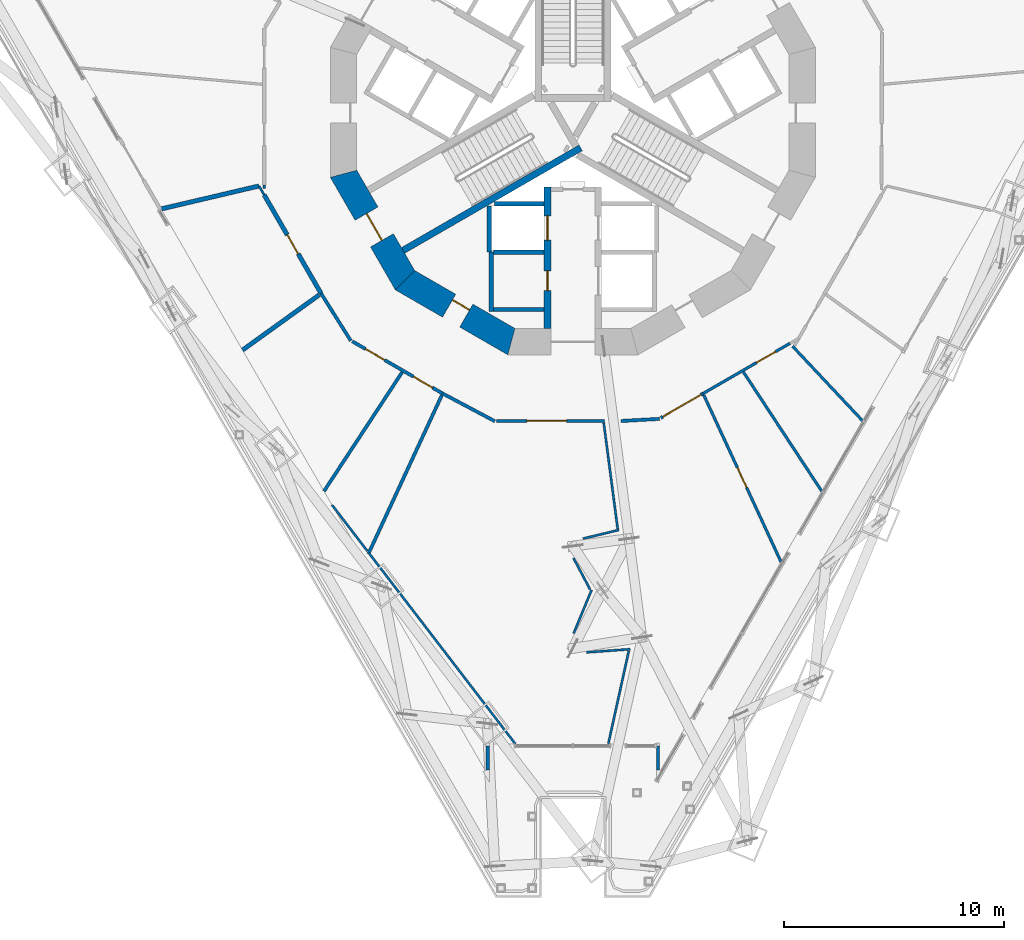
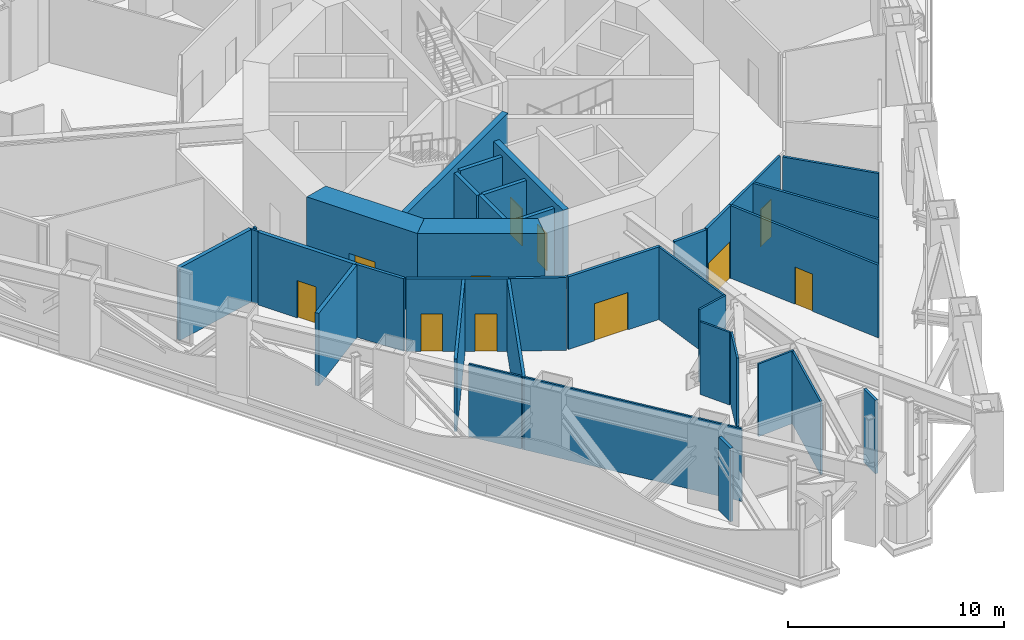
# One storey, part 13 of 28: 36 walls, 11 doors, 11 openings.
"""IFC4 building model written with IfcOpenShell, lengths in metres."""

from ifc_helpers import new_model, si_unit, direction, frame, frame_2d, origin, place, context, subcontext, project, spatial, polyline, rectangle, outline, extrude, material, layer, layer_set, type_object, element, fill, save


model = new_model("IFC4")

# Units and contexts
model_context = context("Model", 3, precision=1e-05, world=origin(), true_north=direction((0.0, 1.0)))
body_context = subcontext(model_context, "Body", "Model", "MODEL_VIEW")
ifc_project = project(units=[si_unit("LENGTHUNIT", "METRE"), si_unit("AREAUNIT", "SQUARE_METRE"), si_unit("VOLUMEUNIT", "CUBIC_METRE"), si_unit("PLANEANGLEUNIT", "RADIAN"), si_unit("MASSUNIT", "GRAM", prefix="KILO")], contexts=[model_context])

# Site, building, storey
site_placement = place(None, origin())
site = spatial("IfcSite", under=ifc_project, at=site_placement, CompositionType="ELEMENT")
building_placement = place(site_placement, origin())
building = spatial("IfcBuilding", under=site, at=building_placement, Name="Trine Commons Tower", CompositionType="ELEMENT")
storey_placement = place(building_placement, frame((0.0, 0.0, 45.89990234375)))
storey = spatial("IfcBuildingStorey", under=building, at=storey_placement, Name="L10", CompositionType="ELEMENT", Elevation=45.89990234375)

# Walls
ifc_material_1 = material(Name="Plasterboard on steel stud", Category="steel")
ifc_layer_1 = layer(ifc_material_1, 0.14990234375)
ifc_layer_set_1 = layer_set([ifc_layer_1], Name="Plasterboard on steel stud")
wall_type_1 = type_object("IfcWallType", Name="Compartment wall 150 mm, EI 60", PredefinedType="PARTITIONING", material=ifc_layer_set_1)
wall_1_placement = place(storey_placement, frame((68.5703125, 54.2734375, 0.0), z_axis=(0.0, 0.0, 1.0), x_axis=(0.532143934564, -0.846653903852, 0.0)))
element("IfcWall", 1, at=wall_1_placement, inside=storey, type_object=wall_type_1, Name="Partition A10021", PredefinedType="PARTITIONING", context=body_context, shape_type="SweptSolid", body=[
    extrude(rectangle(XDim=2.53515625, YDim=0.14990234375, at=frame_2d((1.267578125, 0.0))), origin(), (0.0, 0.0, 1.0), 4.10009765625),
])
wall_2_placement = place(storey_placement, frame((68.7021484375, 45.299072265625, 0.0), z_axis=(0.0, 0.0, 1.0), x_axis=(0.548987984637, 0.835830241571, 0.0)))
element("IfcWall", 2, at=wall_2_placement, inside=storey, type_object=wall_type_1, Name="Partition A10022", PredefinedType="PARTITIONING", context=body_context, shape_type="SweptSolid", body=[
    extrude(rectangle(XDim=6.465087890625, YDim=0.14990234375, at=frame_2d((3.232421875, 0.0))), origin(), (0.0, 0.0, 1.0), 4.10009765625),
])

# Wall, openings, doors
wall_3_placement = place(storey_placement, frame((74.088623046875, 49.733642578125, 0.0), z_axis=(0.0, 0.0, 1.0), x_axis=(-0.866014827195, 0.500018318742, 0.0)))
wall_3 = element("IfcWall", 3, at=wall_3_placement, inside=storey, type_object=wall_type_1, Name="Partition A10024", PredefinedType="PARTITIONING", context=body_context, shape_type="SweptSolid", body=[
    extrude(rectangle(XDim=4.738037109375, YDim=0.14990234375, at=frame_2d((2.369140625, 0.0))), origin(), (0.0, 0.0, 1.0), 4.10009765625),
])
opening_1_placement = place(wall_3_placement, frame((3.04443359375, 0.0, 0.0)))
opening_1 = element("IfcOpeningElement", 4, at=opening_1_placement, cuts=wall_3, Name="Opening D-A1004", PredefinedType="OPENING", context=body_context, shape_type="SweptSolid", body=[
    extrude(rectangle(XDim=1.0, YDim=2.10009765625, at=frame_2d((0.5, 1.050048828125))), frame((0.0, 0.0849609375, 0.0), z_axis=(0.0, -1.0, 0.0), x_axis=(1.0, 0.0, 0.0)), (0.0, 0.0, 1.0), 0.169921875),
])
opening_2_placement = place(wall_3_placement, frame((0.53564453125, 0.0, 0.0)))
opening_2 = element("IfcOpeningElement", 5, at=opening_2_placement, cuts=wall_3, Name="Opening D-A1005", PredefinedType="OPENING", context=body_context, shape_type="SweptSolid", body=[
    extrude(rectangle(XDim=1.0, YDim=2.10009765625, at=frame_2d((0.5, 1.050048828125))), frame((0.0, 0.0849609375, 0.0), z_axis=(0.0, -1.0, 0.0), x_axis=(1.0, 0.0, 0.0)), (0.0, 0.0, 1.0), 0.169921875),
])
ifc_material_2 = material(Name="Timber fire door set", Category="wood")
door_type_1 = type_object("IfcDoorType", Name="Single swing door 1000x2100, FD30S", OperationType="SINGLE_SWING_LEFT", PredefinedType="DOOR", material=ifc_material_2)
door_1_placement = place(opening_1_placement, origin())
door_1 = element("IfcDoor", 6, at=door_1_placement, inside=storey, type_object=door_type_1, Name="Door D-A1004", OperationType="SINGLE_SWING_LEFT", OverallHeight=2.10009765625, OverallWidth=1.0, PredefinedType="DOOR", context=body_context, shape_type="SweptSolid", body=[
    extrude(rectangle(XDim=1.0, YDim=2.10009765625, at=frame_2d((0.5, 1.050048828125))), frame((0.0, 0.02490234375, 0.0), z_axis=(0.0, -1.0, 0.0), x_axis=(1.0, 0.0, 0.0)), (0.0, 0.0, 1.0), 0.050048828125),
])
fill(opening_1, door_1)
door_2_placement = place(opening_2_placement, origin())
door_2 = element("IfcDoor", 7, at=door_2_placement, inside=storey, type_object=door_type_1, Name="Door D-A1005", OperationType="SINGLE_SWING_LEFT", OverallHeight=2.10009765625, OverallWidth=1.0, PredefinedType="DOOR", context=body_context, shape_type="SweptSolid", body=[
    extrude(rectangle(XDim=1.0, YDim=2.10009765625, at=frame_2d((0.5, 1.050048828125))), frame((0.0, 0.02490234375, 0.0), z_axis=(0.0, -1.0, 0.0), x_axis=(1.0, 0.0, 0.0)), (0.0, 0.0, 1.0), 0.050048828125),
])
fill(opening_2, door_2)

# Walls
wall_4_placement = place(storey_placement, frame((70.7158203125, 42.450439453125, 0.0), z_axis=(0.0, 0.0, 1.0), x_axis=(0.42019011547, 0.907436095194, 0.0)))
element("IfcWall", 8, at=wall_4_placement, inside=storey, type_object=wall_type_1, Name="Partition A10026", PredefinedType="PARTITIONING", context=body_context, shape_type="SweptSolid", body=[
    extrude(rectangle(XDim=7.9443359375, YDim=0.14990234375, at=frame_2d((3.97216796875, 0.0))), origin(), (0.0, 0.0, 1.0), 4.10009765625),
])
wall_5_placement = place(storey_placement, frame((74.0927734375, 49.731689453125, 0.0), z_axis=(0.0, 0.0, 1.0), x_axis=(0.88317476462, -0.469044065242, 0.0)))
element("IfcWall", 9, at=wall_5_placement, inside=storey, type_object=wall_type_1, Name="Partition A10028", PredefinedType="PARTITIONING", context=body_context, shape_type="SweptSolid", body=[
    extrude(rectangle(XDim=2.676513671875, YDim=0.14990234375, at=frame_2d((1.33837890625, 0.0))), origin(), (0.0, 0.0, 1.0), 4.10009765625),
])

# Wall, opening, door
wall_6_placement = place(storey_placement, frame((76.525634765625, 48.488525390625, 0.0), z_axis=(0.0, 0.0, 1.0), x_axis=(1.0, 0.0, 0.0)))
wall_6 = element("IfcWall", 10, at=wall_6_placement, inside=storey, type_object=wall_type_1, Name="Partition A10032", PredefinedType="PARTITIONING", context=body_context, shape_type="SweptSolid", body=[
    extrude(rectangle(XDim=4.915283203125, YDim=0.14990234375, at=frame_2d((2.45751953125, 0.0))), origin(), (0.0, 0.0, 1.0), 4.10009765625),
])
opening_3_placement = place(wall_6_placement, frame((1.392822265625, 0.0, 0.0)))
opening_3 = element("IfcOpeningElement", 11, at=opening_3_placement, cuts=wall_6, Name="Opening D-A1008", PredefinedType="OPENING", context=body_context, shape_type="SweptSolid", body=[
    extrude(rectangle(XDim=1.800048828125, YDim=2.10009765625, at=frame_2d((0.89990234375, 1.050048828125))), frame((0.0, 0.0849609375, 0.0), z_axis=(0.0, -1.0, 0.0), x_axis=(1.0, 0.0, 0.0)), (0.0, 0.0, 1.0), 0.169921875),
])
door_type_2 = type_object("IfcDoorType", Name="Double swing door 1800x2100, FD30S", OperationType="DOUBLE_DOOR_DOUBLE_SWING", PredefinedType="DOOR", material=ifc_material_2)
door_3_placement = place(opening_3_placement, origin())
door_3 = element("IfcDoor", 12, at=door_3_placement, inside=storey, type_object=door_type_2, Name="Door D-A1008", OperationType="DOUBLE_DOOR_DOUBLE_SWING", OverallHeight=2.10009765625, OverallWidth=1.800048828125, PredefinedType="DOOR", context=body_context, shape_type="SweptSolid", body=[
    extrude(rectangle(XDim=1.800048828125, YDim=2.10009765625, at=frame_2d((0.89990234375, 1.050048828125))), frame((0.0, 0.02490234375, 0.0), z_axis=(0.0, -1.0, 0.0), x_axis=(1.0, 0.0, 0.0)), (0.0, 0.0, 1.0), 0.050048828125),
])
fill(opening_3, door_3)

# Wall
wall_7_placement = place(storey_placement, frame((82.1904296875, 48.485107421875, 0.0), z_axis=(0.0, 0.0, 1.0), x_axis=(0.998428091569, 0.056047711506, 0.0)))
element("IfcWall", 13, at=wall_7_placement, inside=storey, type_object=wall_type_1, Name="Partition A10042", PredefinedType="PARTITIONING", context=body_context, shape_type="SweptSolid", body=[
    extrude(rectangle(XDim=1.75537109375, YDim=0.14990234375, at=frame_2d((0.877685546875, 0.0))), origin(), (0.0, 0.0, 1.0), 4.10009765625),
])

# Wall, opening, door
wall_8_placement = place(storey_placement, frame((83.996826171875, 48.62841796875, 0.0), z_axis=(0.0, 0.0, 1.0), x_axis=(0.866012759228, 0.500021900375, 0.0)))
wall_8 = element("IfcWall", 14, at=wall_8_placement, inside=storey, type_object=wall_type_1, Name="Partition A10043", PredefinedType="PARTITIONING", context=body_context, shape_type="SweptSolid", body=[
    extrude(rectangle(XDim=2.21142578125, YDim=0.14990234375, at=frame_2d((1.105712890625, 0.0))), origin(), (0.0, 0.0, 1.0), 4.10009765625),
])
opening_4_placement = place(wall_8_placement, frame((0.10009765625, 0.0, 0.0)))
opening_4 = element("IfcOpeningElement", 15, at=opening_4_placement, cuts=wall_8, Name="Opening D-A1012", PredefinedType="OPENING", context=body_context, shape_type="SweptSolid", body=[
    extrude(rectangle(XDim=2.0, YDim=2.10009765625, at=frame_2d((1.0, 1.050048828125))), frame((0.0, 0.0849609375, 0.0), z_axis=(0.0, -1.0, 0.0), x_axis=(1.0, 0.0, 0.0)), (0.0, 0.0, 1.0), 0.169921875),
])
door_type_3 = type_object("IfcDoorType", Name="Double swing door 2000x2100, FD30S", OperationType="DOUBLE_DOOR_DOUBLE_SWING", PredefinedType="DOOR", material=ifc_material_2)
door_4_placement = place(opening_4_placement, origin())
door_4 = element("IfcDoor", 16, at=door_4_placement, inside=storey, type_object=door_type_3, Name="Door D-A1012", OperationType="DOUBLE_DOOR_DOUBLE_SWING", OverallHeight=2.10009765625, OverallWidth=2.0, PredefinedType="DOOR", context=body_context, shape_type="SweptSolid", body=[
    extrude(rectangle(XDim=2.0, YDim=2.10009765625, at=frame_2d((1.0, 1.050048828125))), frame((0.0, 0.02490234375, 0.0), z_axis=(0.0, -1.0, 0.0), x_axis=(1.0, 0.0, 0.0)), (0.0, 0.0, 1.0), 0.050048828125),
])
fill(opening_4, door_4)

# Walls
ifc_layer_2 = layer(ifc_material_1, 0.199951171875)
ifc_layer_set_2 = layer_set([ifc_layer_2], Name="Plasterboard on steel stud")
wall_type_2 = type_object("IfcWallType", Name="Fire wall 200 mm, EI 120", PredefinedType="PARTITIONING", material=ifc_layer_set_2)
wall_9_placement = place(storey_placement, frame((61.304443359375, 58.112548828125, 0.0), z_axis=(0.0, 0.0, 1.0), x_axis=(0.973549478392, 0.22847628569, 0.0)))
element("IfcWall", 17, at=wall_9_placement, inside=storey, type_object=wall_type_2, Name="Partition A10009", PredefinedType="PARTITIONING", context=body_context, shape_type="SweptSolid", body=[
    extrude(rectangle(XDim=4.568115234375, YDim=0.199951171875, at=frame_2d((2.2841796875, 0.0))), origin(), (0.0, 0.0, 1.0), 4.10009765625),
])
wall_10_placement = place(storey_placement, frame((65.00341796875, 51.705810546875, 0.0), z_axis=(0.0, 0.0, 1.0), x_axis=(0.811614314739, 0.584193635801, 0.0)))
element("IfcWall", 18, at=wall_10_placement, inside=storey, type_object=wall_type_2, Name="Partition A10012", PredefinedType="PARTITIONING", context=body_context, shape_type="SweptSolid", body=[
    extrude(rectangle(XDim=4.284423828125, YDim=0.199951171875, at=frame_2d((2.14208984375, 0.0))), origin(), (0.0, 0.0, 1.0), 4.10009765625),
])

# Wall, opening, door
wall_11_placement = place(storey_placement, frame((68.570556640625, 54.273193359375, 0.0), z_axis=(0.0, 0.0, 1.0), x_axis=(-0.499982995661, 0.866035221021, 0.0)))
wall_11 = element("IfcWall", 19, at=wall_11_placement, inside=storey, type_object=wall_type_2, Name="Partition A10014", PredefinedType="PARTITIONING", context=body_context, shape_type="SweptSolid", body=[
    extrude(rectangle(XDim=5.164306640625, YDim=0.199951171875, at=frame_2d((2.58203125, 0.0))), origin(), (0.0, 0.0, 1.0), 4.10009765625),
])
opening_5_placement = place(wall_11_placement, frame((2.08203125, 0.0, 0.0)))
opening_5 = element("IfcOpeningElement", 20, at=opening_5_placement, cuts=wall_11, Name="Opening D-A1001", PredefinedType="OPENING", context=body_context, shape_type="SweptSolid", body=[
    extrude(rectangle(XDim=1.0, YDim=2.10009765625, at=frame_2d((0.5, 1.050048828125))), frame((0.0, 0.10986328125, 0.0), z_axis=(0.0, -1.0, 0.0), x_axis=(1.0, 0.0, 0.0)), (0.0, 0.0, 1.0), 0.219970703125),
])
door_5_placement = place(opening_5_placement, origin())
door_5 = element("IfcDoor", 21, at=door_5_placement, inside=storey, type_object=door_type_1, Name="Door D-A1001", OperationType="SINGLE_SWING_LEFT", OverallHeight=2.10009765625, OverallWidth=1.0, PredefinedType="DOOR", context=body_context, shape_type="SweptSolid", body=[
    extrude(rectangle(XDim=1.0, YDim=2.10009765625, at=frame_2d((0.5, 1.050048828125))), frame((0.0, 0.02490234375, 0.0), z_axis=(0.0, -1.0, 0.0), x_axis=(1.0, 0.0, 0.0)), (0.0, 0.0, 1.0), 0.050048828125),
])
fill(opening_5, door_5)

# Walls
ifc_material_3 = material(Name="Aluminium-framed insulated wall panel", Category="aluminium")
ifc_layer_3 = layer(ifc_material_3, 0.14990234375)
ifc_layer_set_3 = layer_set([ifc_layer_3], Name="Aluminium-framed insulated wall panel")
wall_type_3 = type_object("IfcWallType", Name="Glazed frame wall 150, EI 60", PredefinedType="SOLIDWALL", material=ifc_layer_set_3)
wall_12_placement = place(storey_placement, frame((83.864990234375, 32.48583984375, 0.0), z_axis=(0.0, 0.0, 1.0), x_axis=(0.0, 1.0, 0.0)))
element("IfcWall", 22, at=wall_12_placement, inside=storey, type_object=wall_type_3, Name="Glazed frame wall L10 R9", PredefinedType="SOLIDWALL", context=body_context, shape_type="SweptSolid", body=[
    extrude(outline(polyline([(0.1494140625, 0.074951171875), (0.1494140625, -0.074951171875), (1.235107421875, -0.074951171875), (1.235107421875, 0.074951171875), (0.1494140625, 0.074951171875)])), origin(), (0.0, 0.0, 1.0), 4.150146484375),
])
wall_13_placement = place(storey_placement, frame((76.135009765625, 33.830810546875, 0.0), z_axis=(0.0, 0.0, 1.0), x_axis=(0.0, -1.0, 0.0)))
element("IfcWall", 23, at=wall_13_placement, inside=storey, type_object=wall_type_3, Name="Glazed frame wall L10 R11", PredefinedType="SOLIDWALL", context=body_context, shape_type="SweptSolid", body=[
    extrude(outline(polyline([(0.110107421875, 0.074951171875), (0.110107421875, -0.074951171875), (1.19580078125, -0.074951171875), (1.19580078125, 0.074951171875), (0.110107421875, 0.074951171875)])), origin(), (0.0, 0.0, 1.0), 4.150146484375),
])
ifc_layer_4 = layer(ifc_material_1, 0.10009765625)
ifc_layer_set_4 = layer_set([ifc_layer_4], Name="Plasterboard on steel stud")
wall_type_4 = type_object("IfcWallType", Name="Partition wall 100 mm stud, not rated", PredefinedType="PARTITIONING", material=ifc_layer_set_4)
wall_14_placement = place(storey_placement, frame((65.75244140625, 59.154296875, 0.0), z_axis=(0.0, 0.0, 1.0), x_axis=(0.499842898591, -0.866116087328, 0.0)))
element("IfcWall", 24, at=wall_14_placement, inside=storey, type_object=wall_type_4, Name="Partition A10013", PredefinedType="PARTITIONING", context=body_context, shape_type="SweptSolid", body=[
    extrude(rectangle(XDim=0.468017578125, YDim=0.10009765625, at=frame_2d((0.23388671875, 0.0))), origin(), (0.0, 0.0, 1.0), 4.10009765625),
])
wall_15_placement = place(storey_placement, frame((65.988525390625, 59.0361328125, 0.0), z_axis=(0.0, 0.0, 1.0), x_axis=(0.0, 1.0, 0.0)))
element("IfcWall", 25, at=wall_15_placement, inside=storey, type_object=wall_type_4, Name="Partition A10015", PredefinedType="PARTITIONING", context=body_context, shape_type="SweptSolid", body=[
    extrude(rectangle(XDim=0.173583984375, YDim=0.10009765625, at=frame_2d((0.0869140625, 0.0))), origin(), (0.0, 0.0, 1.0), 4.10009765625),
])
wall_16_placement = place(storey_placement, frame((69.0654296875, 44.674072265625, 0.0), z_axis=(0.0, 0.0, 1.0), x_axis=(0.608733271844, -0.79337494525, 0.0)))
element("IfcWall", 26, at=wall_16_placement, inside=storey, type_object=wall_type_4, Name="Partition A10023", PredefinedType="PARTITIONING", context=body_context, shape_type="SweptSolid", body=[
    extrude(rectangle(XDim=2.632568359375, YDim=0.10009765625, at=frame_2d((1.31640625, 0.0))), origin(), (0.0, 0.0, 1.0), 4.10009765625),
])
wall_17_placement = place(storey_placement, frame((70.738037109375, 42.494140625, 0.0), z_axis=(0.0, 0.0, 1.0), x_axis=(0.608769035805, -0.793347503333, 0.0)))
element("IfcWall", 27, at=wall_17_placement, inside=storey, type_object=wall_type_4, Name="Partition A10027", PredefinedType="PARTITIONING", context=body_context, shape_type="SweptSolid", body=[
    extrude(rectangle(XDim=10.91748046875, YDim=0.10009765625, at=frame_2d((5.458740234375, 0.0))), origin(), (0.0, 0.0, 1.0), 4.10009765625),
])
wall_18_placement = place(storey_placement, frame((80.03466796875, 38.838623046875, 0.0), z_axis=(0.0, 0.0, 1.0), x_axis=(0.381938265475, 0.924187838789, 0.0)))
element("IfcWall", 28, at=wall_18_placement, inside=storey, type_object=wall_type_4, Name="Partition A10035", PredefinedType="PARTITIONING", context=body_context, shape_type="SweptSolid", body=[
    extrude(rectangle(XDim=2.13818359375, YDim=0.10009765625, at=frame_2d((1.069091796875, 0.0))), origin(), (0.0, 0.0, 1.0), 4.10009765625),
])
wall_19_placement = place(storey_placement, frame((80.026611328125, 42.269287109375, 0.0), z_axis=(0.0, 0.0, 1.0), x_axis=(0.466866941026, -0.884327574701, 0.0)))
element("IfcWall", 29, at=wall_19_placement, inside=storey, type_object=wall_type_4, Name="Partition A10036", PredefinedType="PARTITIONING", context=body_context, shape_type="SweptSolid", body=[
    extrude(rectangle(XDim=1.615966796875, YDim=0.10009765625, at=frame_2d((0.80810546875, 0.0))), origin(), (0.0, 0.0, 1.0), 4.10009765625),
])
wall_20_placement = place(storey_placement, frame((80.4560546875, 43.14453125, 0.0), z_axis=(0.0, 0.0, 1.0), x_axis=(0.97236096836, 0.233482648629, 0.0)))
element("IfcWall", 30, at=wall_20_placement, inside=storey, type_object=wall_type_4, Name="Partition A10037", PredefinedType="PARTITIONING", context=body_context, shape_type="SweptSolid", body=[
    extrude(rectangle(XDim=1.68359375, YDim=0.10009765625, at=frame_2d((0.841796875, 0.0))), origin(), (0.0, 0.0, 1.0), 4.10009765625),
])
wall_21_placement = place(storey_placement, frame((80.614501953125, 37.980224609375, 0.0), z_axis=(0.0, 0.0, 1.0), x_axis=(0.997339365818, 0.072898486881, 0.0)))
element("IfcWall", 31, at=wall_21_placement, inside=storey, type_object=wall_type_4, Name="Partition A10038", PredefinedType="PARTITIONING", context=body_context, shape_type="SweptSolid", body=[
    extrude(rectangle(XDim=1.99609375, YDim=0.10009765625, at=frame_2d((0.998046875, 0.0))), origin(), (0.0, 0.0, 1.0), 4.10009765625),
])
wall_22_placement = place(storey_placement, frame((81.40185546875, 48.405029296875, 0.0), z_axis=(0.0, 0.0, 1.0), x_axis=(0.130497341363, -0.991448659234, 0.0)))
element("IfcWall", 32, at=wall_22_placement, inside=storey, type_object=wall_type_4, Name="Partition A10039", PredefinedType="PARTITIONING", context=body_context, shape_type="SweptSolid", body=[
    extrude(rectangle(XDim=4.865966796875, YDim=0.10009765625, at=frame_2d((2.43310546875, 0.0))), origin(), (0.0, 0.0, 1.0), 4.10009765625),
])
wall_23_placement = place(storey_placement, frame((81.611328125, 33.832763671875, 0.0), z_axis=(0.0, 0.0, 1.0), x_axis=(0.215264429132, 0.976555797459, 0.0)))
element("IfcWall", 33, at=wall_23_placement, inside=storey, type_object=wall_type_4, Name="Partition A10041", PredefinedType="PARTITIONING", context=body_context, shape_type="SweptSolid", body=[
    extrude(rectangle(XDim=4.314208984375, YDim=0.10009765625, at=frame_2d((2.1572265625, 0.0))), origin(), (0.0, 0.0, 1.0), 4.10009765625),
])

# Wall, opening, door
ifc_material_4 = material(Name="Concrete C80/95", Category="concrete")
ifc_layer_5 = layer(ifc_material_4, 1.199951171875)
ifc_layer_set_5 = layer_set([ifc_layer_5], Name="Concrete C80/95")
wall_type_5 = type_object("IfcWallType", Name="RC shear wall 1200 mm, C80/95", PredefinedType="SHEAR", material=ifc_layer_set_5)
wall_24_placement = place(storey_placement, frame((69.508056640625, 59.849609375, 0.0), z_axis=(0.0, 0.0, 1.0), x_axis=(0.499979111662, -0.866037463336, 0.0)))
wall_24 = element("IfcWall", 34, at=wall_24_placement, inside=storey, type_object=wall_type_5, Name="Core wall CWB-08 L10", PredefinedType="SHEAR", context=body_context, shape_type="SweptSolid", body=[
    extrude(outline(polyline([(0.0, -0.60009765625), (5.901123046875, -0.60009765625), (5.57958984375, 0.60009765625), (0.321533203125, 0.60009765625), (0.0, -0.60009765625)])), origin(), (0.0, 0.0, 1.0), 4.5),
])
opening_6_placement = place(wall_24_placement, frame((2.25048828125, 0.0, 0.0)))
opening_6 = element("IfcOpeningElement", 35, at=opening_6_placement, cuts=wall_24, Name="Opening K05.02", PredefinedType="OPENING", context=body_context, shape_type="SweptSolid", body=[
    extrude(rectangle(XDim=1.39990234375, YDim=2.10009765625, at=frame_2d((0.699951171875, 1.050048828125))), frame((0.0, 0.60986328125, 0.0), z_axis=(0.0, -1.0, 0.0), x_axis=(1.0, 0.0, 0.0)), (0.0, 0.0, 1.0), 1.219970703125),
])
ifc_material_5 = material(Name="Steel door leaves, fire-rated", Category="steel")
door_type_4 = type_object("IfcDoorType", Name="Stair door, double leaf 1400 x 2100, FD90", OperationType="DOUBLE_DOOR_SINGLE_SWING", PredefinedType="DOOR", material=ifc_material_5)
door_6_placement = place(opening_6_placement, origin())
door_6 = element("IfcDoor", 36, at=door_6_placement, inside=storey, type_object=door_type_4, Name="Stair door to Exit stair ST2A L10", OperationType="DOUBLE_DOOR_SINGLE_SWING", OverallHeight=2.10009765625, OverallWidth=1.39990234375, PredefinedType="DOOR", context=body_context, shape_type="SweptSolid", body=[
    extrude(rectangle(XDim=1.39990234375, YDim=2.10009765625, at=frame_2d((0.699951171875, 1.050048828125))), frame((0.0, 0.02490234375, 0.0), z_axis=(0.0, -1.0, 0.0), x_axis=(1.0, 0.0, 0.0)), (0.0, 0.0, 1.0), 0.050048828125),
])
fill(opening_6, door_6)

wall_25_placement = place(storey_placement, frame((72.239013671875, 54.95849609375, 0.0), z_axis=(0.0, 0.0, 1.0), x_axis=(0.866037463336, -0.499979111662, 0.0)))
wall_25 = element("IfcWall", 37, at=wall_25_placement, inside=storey, type_object=wall_type_5, Name="Core wall CWB-09 L10", PredefinedType="SHEAR", context=body_context, shape_type="SweptSolid", body=[
    extrude(outline(polyline([(0.0, -0.60009765625), (5.901123046875, -0.60009765625), (5.57958984375, 0.60009765625), (0.321533203125, 0.60009765625), (0.0, -0.60009765625)])), origin(), (0.0, 0.0, 1.0), 4.5),
])
opening_7_placement = place(wall_25_placement, frame((2.4765625, 0.0, 0.0)))
opening_7 = element("IfcOpeningElement", 38, at=opening_7_placement, cuts=wall_25, Name="Opening K05.14", PredefinedType="OPENING", context=body_context, shape_type="SweptSolid", body=[
    extrude(rectangle(XDim=0.89990234375, YDim=2.10009765625, at=frame_2d((0.449951171875, 1.050048828125))), frame((0.0, 0.60986328125, 0.0), z_axis=(0.0, -1.0, 0.0), x_axis=(1.0, 0.0, 0.0)), (0.0, 0.0, 1.0), 1.219970703125),
])
ifc_material_6 = material(Name="Steel door leaf, fire-rated", Category="steel")
door_type_5 = type_object("IfcDoorType", Name="Core room door, single leaf 900 x 2100, FD30S", OperationType="SINGLE_SWING_LEFT", PredefinedType="DOOR", material=ifc_material_6)
door_7_placement = place(opening_7_placement, origin())
door_7 = element("IfcDoor", 39, at=door_7_placement, inside=storey, type_object=door_type_5, Name="Door to Parcel store L10", OperationType="SINGLE_SWING_LEFT", OverallHeight=2.10009765625, OverallWidth=0.89990234375, PredefinedType="DOOR", context=body_context, shape_type="SweptSolid", body=[
    extrude(rectangle(XDim=0.89990234375, YDim=2.10009765625, at=frame_2d((0.449951171875, 1.050048828125))), frame((0.0, 0.3251953125, 0.0), z_axis=(0.0, -1.0, 0.0), x_axis=(1.0, 0.0, 0.0)), (0.0, 0.0, 1.0), 0.050048828125),
])
fill(opening_7, door_7)

# Wall, openings, doors
ifc_layer_6 = layer(ifc_material_4, 0.300048828125)
ifc_layer_set_6 = layer_set([ifc_layer_6], Name="Concrete C80/95")
wall_type_6 = type_object("IfcWallType", Name="RC shear wall 300 mm, C80/95", PredefinedType="SHEAR", material=ifc_layer_set_6)
wall_26_placement = place(storey_placement, frame((78.85009765625, 59.10009765625, 0.0), z_axis=(0.0, 0.0, 1.0), x_axis=(0.0, -1.0, 0.0)))
wall_26 = element("IfcWall", 40, at=wall_26_placement, inside=storey, type_object=wall_type_6, Name="Core cross wall SWA-03 L10", PredefinedType="SHEAR", context=body_context, shape_type="SweptSolid", body=[
    extrude(rectangle(XDim=6.412109375, YDim=0.300048828125, at=frame_2d((3.2060546875, 0.0))), origin(), (0.0, 0.0, 1.0), 4.5),
])
opening_8_placement = place(wall_26_placement, frame((3.800048828125, 0.0, 0.0)))
opening_8 = element("IfcOpeningElement", 41, at=opening_8_placement, cuts=wall_26, Name="Opening K05.10", PredefinedType="OPENING", context=body_context, shape_type="SweptSolid", body=[
    extrude(rectangle(XDim=0.89990234375, YDim=2.10009765625, at=frame_2d((0.449951171875, 1.050048828125))), frame((0.0, 0.159912109375, 0.0), z_axis=(0.0, -1.0, 0.0), x_axis=(1.0, 0.0, 0.0)), (0.0, 0.0, 1.0), 0.320068359375),
])
opening_9_placement = place(wall_26_placement, frame((1.300048828125, 0.0, 0.0)))
opening_9 = element("IfcOpeningElement", 42, at=opening_9_placement, cuts=wall_26, Name="Opening LD10", PredefinedType="OPENING", context=body_context, shape_type="SweptSolid", body=[
    extrude(rectangle(XDim=1.10009765625, YDim=2.10009765625, at=frame_2d((0.550048828125, 1.050048828125))), frame((0.0, 0.159912109375, 0.0), z_axis=(0.0, -1.0, 0.0), x_axis=(1.0, 0.0, 0.0)), (0.0, 0.0, 1.0), 0.320068359375),
])
door_8_placement = place(opening_8_placement, frame((0.89990234375, 0.0, 0.0), z_axis=(0.0, 0.0, 1.0), x_axis=(-1.0, 0.0, 0.0)))
door_8 = element("IfcDoor", 43, at=door_8_placement, inside=storey, type_object=door_type_5, Name="Door to Pantry L10", OperationType="SINGLE_SWING_RIGHT", OverallHeight=2.10009765625, OverallWidth=0.89990234375, PredefinedType="DOOR", context=body_context, shape_type="SweptSolid", body=[
    extrude(rectangle(XDim=0.89990234375, YDim=2.10009765625, at=frame_2d((0.449951171875, 1.050048828125))), frame((0.0, 0.02490234375, 0.0), z_axis=(0.0, -1.0, 0.0), x_axis=(1.0, 0.0, 0.0)), (0.0, 0.0, 1.0), 0.050048828125),
])
fill(opening_8, door_8)
ifc_material_7 = material(Name="Stainless steel sliding door leaves", Category="steel")
door_type_6 = type_object("IfcDoorType", Name="Lift landing door, centre-opening sliding 1100 x 2100, FD90", OperationType="DOUBLE_DOOR_SLIDING", PredefinedType="DOOR", material=ifc_material_7)
door_9_placement = place(opening_9_placement, origin())
door_9 = element("IfcDoor", 44, at=door_9_placement, inside=storey, type_object=door_type_6, Name="Lift landing door FF2 L10", OperationType="DOUBLE_DOOR_SLIDING", OverallHeight=2.10009765625, OverallWidth=1.10009765625, PredefinedType="DOOR", context=body_context, shape_type="SweptSolid", body=[
    extrude(rectangle(XDim=1.10009765625, YDim=2.10009765625, at=frame_2d((0.550048828125, 1.050048828125))), frame((0.0, 0.02490234375, 0.0), z_axis=(0.0, -1.0, 0.0), x_axis=(1.0, 0.0, 0.0)), (0.0, 0.0, 1.0), 0.050048828125),
])
fill(opening_9, door_9)

# Walls
wall_27_placement = place(storey_placement, frame((80.35400390625, 60.885986328125, 0.0), z_axis=(0.0, 0.0, 1.0), x_axis=(-0.865986456211, -0.50006745311, 0.0)))
element("IfcWall", 45, at=wall_27_placement, inside=storey, type_object=wall_type_6, Name="Core cross wall SWA-14 L10", PredefinedType="SHEAR", context=body_context, shape_type="SweptSolid", body=[
    extrude(rectangle(XDim=9.310791015625, YDim=0.300048828125, at=frame_2d((4.6552734375, 0.0))), origin(), (0.0, 0.0, 1.0), 4.5),
])
ifc_material_8 = material(Name="Fire-rated gypsum shaft wall system")
ifc_layer_7 = layer(ifc_material_8, 0.199951171875)
ifc_layer_set_7 = layer_set([ifc_layer_7], Name="Fire-rated gypsum shaft wall system")
wall_type_7 = type_object("IfcWallType", Name="Shaft wall 200 mm, EI 120", PredefinedType="PARTITIONING", material=ifc_layer_set_7)
wall_28_placement = place(storey_placement, frame((76.199951171875, 58.256103515625, 0.0), z_axis=(0.0, 0.0, 1.0), x_axis=(0.0, -1.0, 0.0)))
element("IfcWall", 46, at=wall_28_placement, inside=storey, type_object=wall_type_7, Name="Shaft wall L10", PredefinedType="PARTITIONING", context=body_context, shape_type="SweptSolid", body=[
    extrude(rectangle(XDim=2.106201171875, YDim=0.199951171875, at=frame_2d((1.05322265625, 0.0))), origin(), (0.0, 0.0, 1.0), 4.150146484375),
])
wall_29_placement = place(storey_placement, frame((76.300048828125, 56.14990234375, 0.0), z_axis=(0.0, 0.0, 1.0), x_axis=(0.0, -1.0, 0.0)))
element("IfcWall", 47, at=wall_29_placement, inside=storey, type_object=wall_type_7, Name="Shaft wall L10", PredefinedType="PARTITIONING", context=body_context, shape_type="SweptSolid", body=[
    extrude(rectangle(XDim=2.699951171875, YDim=0.199951171875, at=frame_2d((1.35009765625, 0.0))), origin(), (0.0, 0.0, 1.0), 4.150146484375),
])
for number, where, z_axis, x_axis, name in (
    (48, (78.699951171875, 53.550048828125, 0.0), (0.0, 0.0, 1.0), (-1.0, 0.0, 0.0), "Shaft wall L10"),
    (49, (78.699951171875, 56.14990234375, 0.0), (0.0, 0.0, 1.0), (-1.0, 0.0, 0.0), "Shaft wall L10"),
):
    element("IfcWall", number, at=place(storey_placement, frame(where, z_axis=z_axis, x_axis=x_axis)), inside=storey, type_object=wall_type_7, Name=name, PredefinedType="PARTITIONING", context=body_context, shape_type="SweptSolid", body=[
        extrude(rectangle(XDim=2.300048828125, YDim=0.199951171875, at=frame_2d((1.14990234375, 0.0))), origin(), (0.0, 0.0, 1.0), 4.150146484375),
    ])
wall_30_placement = place(storey_placement, frame((78.699951171875, 58.35009765625, 0.0), z_axis=(0.0, 0.0, 1.0), x_axis=(-1.0, 0.0, 0.0)))
element("IfcWall", 50, at=wall_30_placement, inside=storey, type_object=wall_type_7, Name="Shaft wall L10", PredefinedType="PARTITIONING", context=body_context, shape_type="SweptSolid", body=[
    extrude(rectangle(XDim=2.264892578125, YDim=0.199951171875, at=frame_2d((1.13232421875, 0.0))), origin(), (0.0, 0.0, 1.0), 4.150146484375),
])

# Wall, opening, door
ifc_layer_8 = layer(ifc_material_1, 0.125)
ifc_layer_set_8 = layer_set([ifc_layer_8], Name="Plasterboard on steel stud")
wall_type_8 = type_object("IfcWallType", Name="Wet wall 125 mm stud, not rated", PredefinedType="PARTITIONING", material=ifc_layer_set_8)
wall_31_placement = place(storey_placement, frame((89.853759765625, 52.009765625, 0.0), z_axis=(0.0, 0.0, 1.0), x_axis=(-0.866036430452, -0.499980900766, 0.0)))
wall_31 = element("IfcWall", 51, at=wall_31_placement, inside=storey, type_object=wall_type_8, Name="Partition A10045", PredefinedType="PARTITIONING", context=body_context, shape_type="SweptSolid", body=[
    extrude(rectangle(XDim=4.552001953125, YDim=0.125, at=frame_2d((2.27587890625, 0.0))), origin(), (0.0, 0.0, 1.0), 4.10009765625),
])
opening_10_placement = place(wall_31_placement, frame((0.740478515625, 0.0, 0.0)))
opening_10 = element("IfcOpeningElement", 52, at=opening_10_placement, cuts=wall_31, Name="Opening D-A1013", PredefinedType="OPENING", context=body_context, shape_type="SweptSolid", body=[
    extrude(rectangle(XDim=1.0, YDim=2.10009765625, at=frame_2d((0.5, 1.050048828125))), frame((0.0, 0.072509765625, 0.0), z_axis=(0.0, -1.0, 0.0), x_axis=(1.0, 0.0, 0.0)), (0.0, 0.0, 1.0), 0.14501953125),
])
ifc_material_9 = material(Name="Painted timber", Category="wood")
door_type_7 = type_object("IfcDoorType", Name="Single swing door 1000x2100, not rated", OperationType="SINGLE_SWING_LEFT", PredefinedType="DOOR", material=ifc_material_9)
door_10_placement = place(opening_10_placement, origin())
door_10 = element("IfcDoor", 53, at=door_10_placement, inside=storey, type_object=door_type_7, Name="Door D-A1013", OperationType="SINGLE_SWING_LEFT", OverallHeight=2.10009765625, OverallWidth=1.0, PredefinedType="DOOR", context=body_context, shape_type="SweptSolid", body=[
    extrude(rectangle(XDim=1.0, YDim=2.10009765625, at=frame_2d((0.5, 1.050048828125))), frame((0.0, 0.02490234375, 0.0), z_axis=(0.0, -1.0, 0.0), x_axis=(1.0, 0.0, 0.0)), (0.0, 0.0, 1.0), 0.050048828125),
])
fill(opening_10, door_10)

wall_32_placement = place(storey_placement, frame((89.448486328125, 42.09619140625, 0.0), z_axis=(0.0, 0.0, 1.0), x_axis=(-0.420185202025, 0.907438370359, 0.0)))
wall_32 = element("IfcWall", 54, at=wall_32_placement, inside=storey, type_object=wall_type_8, Name="Partition A10046", PredefinedType="PARTITIONING", context=body_context, shape_type="SweptSolid", body=[
    extrude(rectangle(XDim=8.3359375, YDim=0.125, at=frame_2d((4.16796875, 0.0))), origin(), (0.0, 0.0, 1.0), 4.10009765625),
])
opening_11_placement = place(wall_32_placement, frame((3.70849609375, 0.0, 0.0)))
opening_11 = element("IfcOpeningElement", 55, at=opening_11_placement, cuts=wall_32, Name="Opening D-A1014", PredefinedType="OPENING", context=body_context, shape_type="SweptSolid", body=[
    extrude(rectangle(XDim=1.0, YDim=2.10009765625, at=frame_2d((0.5, 1.050048828125))), frame((0.0, 0.072509765625, 0.0), z_axis=(0.0, -1.0, 0.0), x_axis=(1.0, 0.0, 0.0)), (0.0, 0.0, 1.0), 0.14501953125),
])
door_11_placement = place(opening_11_placement, origin())
door_11 = element("IfcDoor", 56, at=door_11_placement, inside=storey, type_object=door_type_7, Name="Door D-A1014", OperationType="SINGLE_SWING_LEFT", OverallHeight=2.10009765625, OverallWidth=1.0, PredefinedType="DOOR", context=body_context, shape_type="SweptSolid", body=[
    extrude(rectangle(XDim=1.0, YDim=2.10009765625, at=frame_2d((0.5, 1.050048828125))), frame((0.0, 0.02490234375, 0.0), z_axis=(0.0, -1.0, 0.0), x_axis=(1.0, 0.0, 0.0)), (0.0, 0.0, 1.0), 0.050048828125),
])
fill(opening_11, door_11)

# Walls
wall_33_placement = place(storey_placement, frame((87.741455078125, 50.714111328125, 0.0), z_axis=(0.0, 0.0, 1.0), x_axis=(0.549016946095, -0.835811218458, 0.0)))
element("IfcWall", 57, at=wall_33_placement, inside=storey, type_object=wall_type_8, Name="Partition A10047", PredefinedType="PARTITIONING", context=body_context, shape_type="SweptSolid", body=[
    extrude(rectangle(XDim=6.478271484375, YDim=0.125, at=frame_2d((3.2392578125, 0.0))), origin(), (0.0, 0.0, 1.0), 4.10009765625),
])
wall_34_placement = place(storey_placement, frame((89.977294921875, 51.8779296875, 0.0), z_axis=(0.0, 0.0, 1.0), x_axis=(0.684642359548, -0.728879166607, 0.0)))
element("IfcWall", 58, at=wall_34_placement, inside=storey, type_object=wall_type_8, Name="Partition A10050", PredefinedType="PARTITIONING", context=body_context, shape_type="SweptSolid", body=[
    extrude(rectangle(XDim=4.63037109375, YDim=0.125, at=frame_2d((2.315185546875, 0.0))), origin(), (0.0, 0.0, 1.0), 4.10009765625),
])

save(model, "model.ifc")
